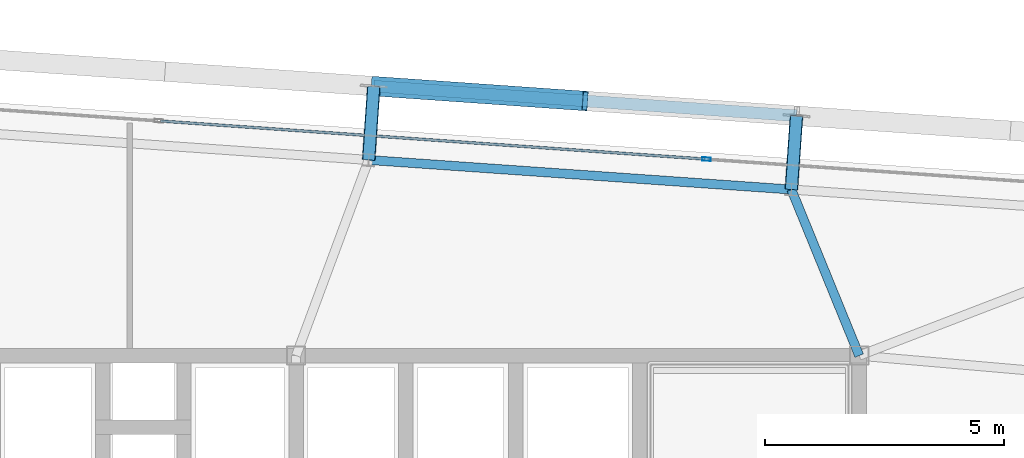
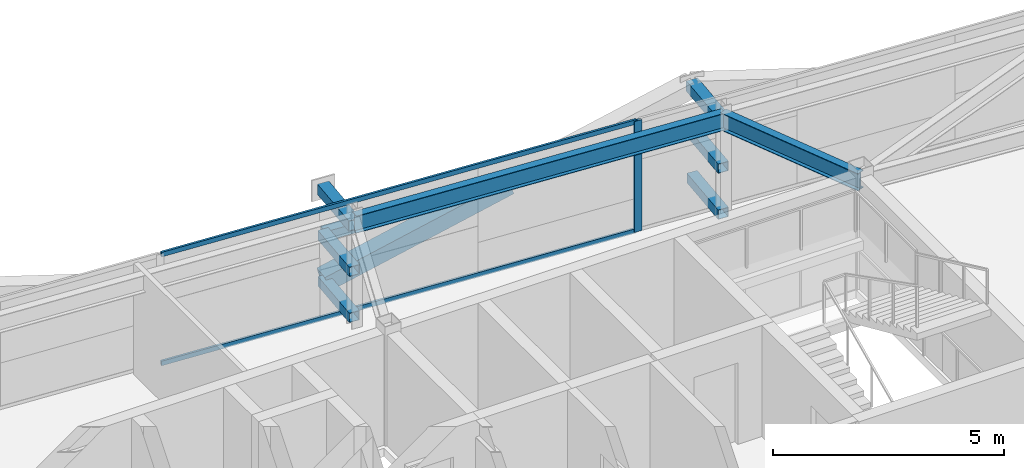
# One storey, part 23 of 39: 11 members, 2 beams, 1 element without a shape of its own.
"""IFC4 building model written with IfcOpenShell, lengths in metres."""

import ifcopenshell
import ifcopenshell.guid

model = None  # the IFC model being written
_history = None  # IfcOwnerHistory: only IFC2X3 demands one
_inside = {}  # id of a spatial element -> (the spatial element, [elements in it])
_under = {}  # id of a project, library or spatial element -> (it, [spatial elements below it])
_declared = {}  # id of a project -> (the project, [libraries it declares])
_typed = {}  # id of a type object -> (the type object, [elements of that type])
_made_of = {}  # id of a material, layer set ... -> (it, [elements and type objects made of it])


def new_model(schema):
    """Start an empty IFC model of exactly this schema.

    Asked for "IFC4X3", IfcOpenShell would pick the latest addendum, in which some entities
    have other attributes; the version numbers below select the first issue.
    IFC2X3 requires an IfcOwnerHistory on every rooted entity: one is made here for all.
    """
    global model, _history
    if schema == "IFC4X3":
        model = ifcopenshell.file(schema_version=(4, 3, 0, 0))
    else:
        model = ifcopenshell.file(schema=schema)
    _inside.clear()
    _under.clear()
    _declared.clear()
    _typed.clear()
    _made_of.clear()
    _history = None
    if model.schema == "IFC2X3":
        org = make("IfcOrganization", Name="unknown")
        user = make(
            "IfcPersonAndOrganization",
            ThePerson=make("IfcPerson", FamilyName="unknown"),
            TheOrganization=org,
        )
        app = make(
            "IfcApplication",
            ApplicationDeveloper=org,
            Version="unknown",
            ApplicationFullName="unknown",
            ApplicationIdentifier="unknown",
        )
        _history = make(
            "IfcOwnerHistory",
            OwningUser=user,
            OwningApplication=app,
            ChangeAction="ADDED",
            CreationDate=0,
        )
    return model


def make(cls, **values):
    """One entity of the class cls with the attributes given. An attribute that is None is left unset."""
    return model.create_entity(
        cls, **{name: value for name, value in values.items() if value is not None}
    )


def rooted(cls, **values):
    """An entity with a GlobalId (a new one), such as an element, a storey or a relation."""
    return make(cls, GlobalId=ifcopenshell.guid.new(), OwnerHistory=_history, **values)


def si_unit(unit_type, name, prefix=None):
    """IfcSIUnit, for example si_unit("LENGTHUNIT", "METRE", prefix="MILLI")."""
    return make("IfcSIUnit", UnitType=unit_type, Prefix=prefix, Name=name)


def assignment(units):
    """IfcUnitAssignment: the units of a project."""
    return None if units is None else make("IfcUnitAssignment", Units=units)


def point(xyz):
    """IfcCartesianPoint."""
    return None if xyz is None else make("IfcCartesianPoint", Coordinates=xyz)


def direction(xyz):
    """IfcDirection."""
    return None if xyz is None else make("IfcDirection", DirectionRatios=xyz)


def frame(location, z_axis=None, x_axis=None):
    """IfcAxis2Placement3D, a coordinate frame: its origin and axes. An axis left out is left unset."""
    return make(
        "IfcAxis2Placement3D",
        Location=point(location),
        Axis=direction(z_axis),
        RefDirection=direction(x_axis),
    )


def frame_2d(location, x_axis=None):
    """IfcAxis2Placement2D, a coordinate frame in the plane: its origin and x axis."""
    return make(
        "IfcAxis2Placement2D", Location=point(location), RefDirection=direction(x_axis)
    )


def origin():
    """The frame at (0, 0, 0) with its axes left unset."""
    return frame((0.0, 0.0, 0.0))


def origin_2d():
    """The frame at (0, 0) in the plane with its x axis left unset."""
    return frame_2d((0.0, 0.0))


def place(relative_to, where):
    """IfcLocalPlacement: puts the frame where relative to a parent placement (None: the world)."""
    return make(
        "IfcLocalPlacement", PlacementRelTo=relative_to, RelativePlacement=where
    )


def context(
    kind, dimensions, precision=None, world=None, true_north=None, identifier=None
):
    """IfcGeometricRepresentationContext, for example the 3D "Model" context."""
    return make(
        "IfcGeometricRepresentationContext",
        ContextIdentifier=identifier,
        ContextType=kind,
        CoordinateSpaceDimension=dimensions,
        Precision=precision,
        WorldCoordinateSystem=world,
        TrueNorth=true_north,
    )


def subcontext(parent, identifier, kind, view, scale=None):
    """IfcGeometricRepresentationSubContext, for example "Body" below "Model"."""
    return make(
        "IfcGeometricRepresentationSubContext",
        ContextIdentifier=identifier,
        ContextType=kind,
        ParentContext=parent,
        TargetScale=scale,
        TargetView=view,
    )


def project(units=None, contexts=None):
    """IfcProject with its units and contexts."""
    return rooted(
        "IfcProject",
        Name="project",
        RepresentationContexts=contexts,
        UnitsInContext=assignment(units),
    )


def spatial(cls, under=None, at=None, **own):
    """A site, building, storey or space (cls), placed at a placement, below another one or the project."""
    s = rooted(cls, ObjectPlacement=at, **own)
    if under is not None:
        _under.setdefault(under.id(), (under, []))[1].append(s)
    return s


def profile(cls, at=None, kind="AREA", **sizes):
    """A parametric profile (cls). Its sizes go by their IFC names, for example OverallWidth=200.0."""
    return make(cls, ProfileType=kind, Position=at, **sizes)


def hollow_rectangle(**sizes):
    """IfcRectangleHollowProfileDef."""
    return profile("IfcRectangleHollowProfileDef", **sizes)


def i_section(**sizes):
    """IfcIShapeProfileDef."""
    return profile("IfcIShapeProfileDef", **sizes)


def extrude(swept, where, along, depth):
    """IfcExtrudedAreaSolid: the profile swept, set in the frame where, extruded along a direction by depth."""
    return make(
        "IfcExtrudedAreaSolid",
        SweptArea=swept,
        Position=where,
        ExtrudedDirection=direction(along),
        Depth=depth,
    )


def shape(context_of_items, identifier, shape_type, items):
    """IfcShapeRepresentation: the items that make up one representation, for example the "Body"."""
    return make(
        "IfcShapeRepresentation",
        ContextOfItems=context_of_items,
        RepresentationIdentifier=identifier,
        RepresentationType=shape_type,
        Items=items,
    )


def source(mapping_origin, context_of_items, identifier, shape_type, items):
    """IfcRepresentationMap: a shape defined once, which mapped items show again and again."""
    return make(
        "IfcRepresentationMap",
        MappingOrigin=mapping_origin,
        MappedRepresentation=shape(context_of_items, identifier, shape_type, items),
    )


def transform(
    local_origin,
    x_axis=None,
    y_axis=None,
    z_axis=None,
    scale=None,
    scale2=None,
    scale3=None,
    uniform=True,
):
    """IfcCartesianTransformationOperator3D, or its non-uniform kind. x_axis, y_axis, z_axis: its Axis1, 2, 3."""
    if uniform:
        return make(
            "IfcCartesianTransformationOperator3D",
            Axis1=direction(x_axis),
            Axis2=direction(y_axis),
            LocalOrigin=point(local_origin),
            Scale=scale,
            Axis3=direction(z_axis),
        )
    return make(
        "IfcCartesianTransformationOperator3DnonUniform",
        Axis1=direction(x_axis),
        Axis2=direction(y_axis),
        LocalOrigin=point(local_origin),
        Scale=scale,
        Axis3=direction(z_axis),
        Scale2=scale2,
        Scale3=scale3,
    )


def mapped(mapping_source, mapping_target):
    """IfcMappedItem: shows the shape of a source again, moved by a transform."""
    return make(
        "IfcMappedItem", MappingSource=mapping_source, MappingTarget=mapping_target
    )


def material(Name=None, Category=None):
    """IfcMaterial."""
    return make("IfcMaterial", Name=Name, Category=Category)


def layer(
    of_material, thickness, ventilated=None, Name=None, Category=None, Priority=None
):
    """IfcMaterialLayer: one layer of a wall or slab, of a material (None: an air gap)."""
    return make(
        "IfcMaterialLayer",
        Material=of_material,
        LayerThickness=thickness,
        IsVentilated=ventilated,
        Name=Name,
        Category=Category,
        Priority=Priority,
    )


def layer_set(layers, Name=None):
    """IfcMaterialLayerSet."""
    return make("IfcMaterialLayerSet", MaterialLayers=layers, LayerSetName=Name)


def material_profile(
    of_material, cross_section, Name=None, Category=None, Priority=None
):
    """IfcMaterialProfile: a cross section and its material."""
    return make(
        "IfcMaterialProfile",
        Name=Name,
        Material=of_material,
        Profile=cross_section,
        Priority=Priority,
        Category=Category,
    )


def profile_set(profiles, Name=None, composite=None):
    """IfcMaterialProfileSet."""
    return make(
        "IfcMaterialProfileSet",
        Name=Name,
        MaterialProfiles=profiles,
        CompositeProfile=composite,
    )


def made_of(thing, what):
    """Note that an element or type object is made of a material, layer set ...; save() writes the relation."""
    if what is not None:
        _made_of.setdefault(what.id(), (what, []))[1].append(thing)
    return thing


def type_object(cls, material=None, **own):
    """A type object (cls), such as IfcWallType, which elements share."""
    return made_of(rooted(cls, **own), material)


def element(
    cls,
    number,
    at=None,
    inside=None,
    cuts=None,
    type_object=None,
    material=None,
    context=None,
    identifier="Body",
    shape_type=None,
    held_by="IfcProductDefinitionShape",
    body=None,
    shapes=None,
    **own,
):
    """One element of the class cls, such as IfcWall. Its Tag is "e" and its number.

    at: its placement. inside: the storey or other place that contains it. cuts: it is an
    opening in that element (IfcRelVoidsElement). A single representation is given by context,
    identifier, shape_type and body (its items); several are given by shapes. held_by: the class
    of the entity that holds the representations. save() writes the other relations.
    """
    e = rooted(cls, Tag="e%d" % number, ObjectPlacement=at, **own)
    if body is not None:
        shapes = [shape(context, identifier, shape_type, body)]
    if shapes is not None:
        e.Representation = make(held_by, Representations=shapes)
    if inside is not None:
        _inside.setdefault(inside.id(), (inside, []))[1].append(e)
    if cuts is not None:
        rooted(
            "IfcRelVoidsElement", RelatingBuildingElement=cuts, RelatedOpeningElement=e
        )
    if type_object is not None:
        _typed.setdefault(type_object.id(), (type_object, []))[1].append(e)
    return made_of(e, material)


def aggregate(whole, parts):
    """IfcRelAggregates: a whole, such as a stair, and the parts it consists of."""
    return rooted("IfcRelAggregates", RelatingObject=whole, RelatedObjects=parts)


def save(model, path):
    """Write the relations noted so far, then the file.

    IfcRelAggregates (storeys below a building ...), IfcRelContainedInSpatialStructure (elements
    in a storey), IfcRelDefinesByType, IfcRelAssociatesMaterial and IfcRelDeclares: one each for
    every whole, place, type object, material and project.
    """
    for whole, parts in _under.values():
        aggregate(whole, parts)
    for where, things in _inside.values():
        rooted(
            "IfcRelContainedInSpatialStructure",
            RelatedElements=things,
            RelatingStructure=where,
        )
    for kind, things in _typed.values():
        rooted("IfcRelDefinesByType", RelatedObjects=things, RelatingType=kind)
    for what, things in _made_of.values():
        rooted("IfcRelAssociatesMaterial", RelatedObjects=things, RelatingMaterial=what)
    for by, libraries in _declared.values():
        rooted("IfcRelDeclares", RelatingContext=by, RelatedDefinitions=libraries)
    model.write(path)


model = new_model("IFC4")

# Units and contexts
model_context = context("Model", 3, precision=1e-05, world=origin(), true_north=direction((0.0, 1.0)))
body_context = subcontext(model_context, "Body", "Model", "MODEL_VIEW")
ifc_project = project(units=[si_unit("LENGTHUNIT", "METRE"), si_unit("AREAUNIT", "SQUARE_METRE"), si_unit("VOLUMEUNIT", "CUBIC_METRE"), si_unit("PLANEANGLEUNIT", "RADIAN"), si_unit("MASSUNIT", "GRAM", prefix="KILO")], contexts=[model_context])

# Site, building, storey
site_placement = place(None, origin())
site = spatial("IfcSite", under=ifc_project, at=site_placement, CompositionType="ELEMENT")
building_placement = place(site_placement, origin())
building = spatial("IfcBuilding", under=site, at=building_placement, Name="Taldren Reach Tower", CompositionType="ELEMENT")
storey_placement = place(building_placement, frame((0.0, 0.0, 123.550048828125)))
storey = spatial("IfcBuildingStorey", under=building, at=storey_placement, Name="L37", CompositionType="ELEMENT", Elevation=123.550048828125)

# Members
ifc_material_1 = material(Name="Steel Gr 450 (C450L0)", Category="steel")
ifc_material_profile_1 = material_profile(ifc_material_1, hollow_rectangle(XDim=0.27490234375, YDim=0.27490234375, WallThickness=0.00927734375, at=origin_2d()), Name="275x275x9.3SHS")
ifc_profile_set_1 = profile_set([ifc_material_profile_1], Name="Steel Gr 450 (C450L0)")
member_type_1 = type_object("IfcMemberType", Name="MB-TIE273", PredefinedType="STRUT", material=ifc_profile_set_1)
shared_shape_1 = source(origin(), body_context, "Body", "SweptSolid", [
    extrude(hollow_rectangle(XDim=0.27490234375, YDim=0.27490234375, WallThickness=0.00927734375, at=origin_2d()), origin(), (0.0, 0.0, 1.0), 1.550048828125),
])
for number, where, z_axis, x_axis, name in (
    (1, (40.7197265625, 36.100341796875, 2.64990234375), (0.06976957191, 0.99756313426, 0.0), (-0.99756313426, 0.06976957191, 0.0), "Exoskeleton diaphragm tie strut B3-N4 L37"),
    (2, (49.578125, 35.48095703125, 2.64990234375), (0.06976957191, 0.99756313426, 0.0), (-0.99756313426, 0.06976957191, 0.0), "Exoskeleton diaphragm tie strut B3-N5 L37"),
):
    element("IfcMember", number, at=place(storey_placement, frame(where, z_axis=z_axis, x_axis=x_axis)), inside=storey, type_object=member_type_1, Name=name, PredefinedType="STRUT", context=body_context, shape_type="MappedRepresentation", body=[
        mapped(shared_shape_1, transform((0.0, 0.0, 0.0), scale=1.0)),
    ])
ifc_material_2 = material(Name="Steel Gr 350 (C350L0)", Category="steel")
ifc_material_profile_2 = material_profile(ifc_material_2, hollow_rectangle(XDim=0.25, YDim=0.25, WallThickness=0.010009765625, at=origin_2d()), Name="250x250x10.0SHS")
ifc_profile_set_2 = profile_set([ifc_material_profile_2], Name="Steel Gr 350 (C350L0)")
member_type_2 = type_object("IfcMemberType", Name="MB-POST250", PredefinedType="POST", material=ifc_profile_set_2)
shared_shape_2 = source(origin(), body_context, "Body", "SweptSolid", [
    extrude(hollow_rectangle(XDim=0.25, YDim=0.25, WallThickness=0.010009765625, at=origin_2d()), origin(), (0.0, 0.0, 1.0), 1.550048828125),
])
for number, where, z_axis, x_axis, name in (
    (3, (40.7197265625, 36.100341796875, 0.219970703125), (0.06976957191, 0.99756313426, 0.0), (-0.99756313426, 0.06976957191, 0.0), "Exoskeleton base diaphragm tie strut B3-N4 L37"),
    (4, (49.578125, 35.48095703125, 0.219970703125), (0.06976957191, 0.99756313426, 0.0), (-0.99756313426, 0.06976957191, 0.0), "Exoskeleton base diaphragm tie strut B3-N5 L37"),
    (5, (40.7197265625, 36.100341796875, 1.43505859375), (0.06976957191, 0.99756313426, 0.0), (-0.99756313426, 0.06976957191, 0.0), "Exoskeleton mid-tier diaphragm tie B3-N4 L37"),
    (6, (49.578125, 35.48095703125, 1.43505859375), (0.06976957191, 0.99756313426, 0.0), (-0.99756313426, 0.06976957191, 0.0), "Exoskeleton mid-tier diaphragm tie B3-N5 L37"),
):
    element("IfcMember", number, at=place(storey_placement, frame(where, z_axis=z_axis, x_axis=x_axis)), inside=storey, type_object=member_type_2, Name=name, PredefinedType="POST", context=body_context, shape_type="MappedRepresentation", body=[
        mapped(shared_shape_2, transform((0.0, 0.0, 0.0), scale=1.0)),
    ])

# Beams
ifc_material_3 = material(Name="Steel Gr 350 (350PLUS)", Category="steel")
ifc_material_profile_3 = material_profile(ifc_material_3, i_section(OverallWidth=0.18994140625, OverallDepth=0.4541015625, WebThickness=0.008544921875, FlangeThickness=0.0126953125, at=origin_2d()), Name="460UB67.1")
ifc_profile_set_3 = profile_set([ifc_material_profile_3], Name="Steel Gr 350 (350PLUS)")
beam_type_1 = type_object("IfcBeamType", Name="SP-UB460B", PredefinedType="SPANDREL", material=ifc_profile_set_3)
shared_shape_3 = source(origin(), body_context, "Body", "SweptSolid", [
    extrude(i_section(OverallWidth=0.18994140625, OverallDepth=0.4541015625, WebThickness=0.008544921875, FlangeThickness=0.0126953125, at=origin_2d()), origin(), (0.0, 0.0, 1.0), 8.880126953125),
])
beam_1_placement = place(storey_placement, frame((49.578125, 35.48095703125, 2.702880859375), z_axis=(-0.997564479639, 0.069750333063, 0.0), x_axis=(-0.069750333063, -0.997564479639, 0.0)))
element("IfcBeam", 7, at=beam_1_placement, inside=storey, type_object=beam_type_1, Name="Perimeter spandrel B3 N5-N4 L37", PredefinedType="SPANDREL", context=body_context, shape_type="MappedRepresentation", body=[
    mapped(shared_shape_3, transform((0.0, 0.0, 0.0), scale=1.0)),
])
ifc_material_profile_4 = material_profile(ifc_material_3, i_section(OverallWidth=0.19091796875, OverallDepth=0.4599609375, WebThickness=0.010009765625, FlangeThickness=0.01611328125, at=origin_2d()), Name="460UB82.1")
ifc_profile_set_4 = profile_set([ifc_material_profile_4], Name="Steel Gr 350 (350PLUS)")
beam_type_2 = type_object("IfcBeamType", Name="BM-UB460A", PredefinedType="BEAM", material=ifc_profile_set_4)
shared_shape_4 = source(origin(), body_context, "Body", "SweptSolid", [
    extrude(i_section(OverallWidth=0.19091796875, OverallDepth=0.4599609375, WebThickness=0.010009765625, FlangeThickness=0.01611328125, at=origin_2d()), origin(), (0.0, 0.0, 1.0), 3.76025390625),
])
beam_2_placement = place(storey_placement, frame((51.0, 32.0, 2.699951171875), z_axis=(-0.37814232545, 0.925747471886, 0.0), x_axis=(-0.925747471886, -0.37814232545, 0.0)))
element("IfcBeam", 8, at=beam_2_placement, inside=storey, type_object=beam_type_2, Name="Primary floor girder B3-N5 L37", PredefinedType="BEAM", context=body_context, shape_type="MappedRepresentation", body=[
    mapped(shared_shape_4, transform((0.0, 0.0, 0.0), scale=1.0)),
])

# Members
shared_shape_5 = source(origin(), body_context, "Body", "SweptSolid", [
    extrude(hollow_rectangle(XDim=0.25, YDim=0.25, WallThickness=0.010009765625, at=origin_2d()), origin(), (0.0, 0.0, 1.0), 8.880126953125),
])
member_1_placement = place(storey_placement, frame((40.827880859375, 37.646728515625, 1.43505859375), z_axis=(0.997564479639, -0.069750333063, 0.0), x_axis=(0.069750333063, 0.997564479639, 0.0)))
element("IfcMember", 9, at=member_1_placement, inside=storey, type_object=member_type_2, Name="Exoskeleton mid-height ring chord B3-N4 L37", PredefinedType="POST", context=body_context, shape_type="MappedRepresentation", body=[
    mapped(shared_shape_5, transform((0.0, 0.0, 0.0), scale=1.0)),
])
ifc_material_profile_5 = material_profile(ifc_material_1, hollow_rectangle(XDim=0.409912109375, YDim=0.409912109375, WallThickness=0.01611328125, at=origin_2d()), Name="410x410x16.0SHS")
ifc_profile_set_5 = profile_set([ifc_material_profile_5], Name="Steel Gr 450 (C450L0)")
member_type_3 = type_object("IfcMemberType", Name="MB-EXO406", PredefinedType="BRACE", material=ifc_profile_set_5)
shared_shape_6 = source(origin(), body_context, "Body", "SweptSolid", [
    extrude(hollow_rectangle(XDim=0.409912109375, YDim=0.409912109375, WallThickness=0.01611328125, at=origin_2d()), origin(), (0.0, 0.0, 1.0), 4.603271484375),
])
member_2_placement = place(storey_placement, frame((40.827880859375, 37.646728515625, 0.219970703125), z_axis=(0.962182351074, -0.067302910567, 0.263961060594), x_axis=(0.06977769246, 0.997562566276, 0.0)))
element("IfcMember", 10, at=member_2_placement, inside=storey, type_object=member_type_3, Name="Exoskeleton Diagrid Brace B3-N4 L37", PredefinedType="BRACE", context=body_context, shape_type="MappedRepresentation", body=[
    mapped(shared_shape_6, transform((0.0, 0.0, 0.0), scale=1.0)),
])

# Curtain wall, members
ifc_material_4 = material(Name="Aluminium and Low-E Glass Unitised System", Category="aluminium")
ifc_layer = layer(ifc_material_4, 0.159912109375)
ifc_layer_set = layer_set([ifc_layer], Name="Aluminium and Low-E Glass Unitised System")
curtain_wall_type = type_object("IfcCurtainWallType", Name="CW-SYS-4", PredefinedType="NOTDEFINED", material=ifc_layer_set)
curtain_wall_placement = place(storey_placement, origin())
curtain_wall = element("IfcCurtainWall", 11, at=curtain_wall_placement, inside=storey, type_object=curtain_wall_type, Name="Unitised curtain wall CW-L37-N", PredefinedType="NOTDEFINED")
ifc_material_5 = material(Name="Anodised Aluminium 6063-T6", Category="aluminium")
ifc_material_profile_6 = material_profile(ifc_material_5, hollow_rectangle(XDim=0.054931640625, YDim=0.1201171875, WallThickness=0.0029296875, at=origin_2d()), Name="ALU-120x55x3RHS")
ifc_profile_set_6 = profile_set([ifc_material_profile_6], Name="Anodised Aluminium 6063-T6")
member_type_4 = type_object("IfcMemberType", Name="CW-TRN-135", PredefinedType="USERDEFINED", material=ifc_profile_set_6)
shared_shape_7 = source(origin(), body_context, "Body", "SweptSolid", [
    extrude(hollow_rectangle(XDim=0.054931640625, YDim=0.1201171875, WallThickness=0.0029296875, at=origin_2d()), origin(), (0.0, 0.0, 1.0), 11.429931640625),
])
member_3_placement = place(storey_placement, frame((47.76318359375, 36.119140625, 0.02734375), z_axis=(-0.997563740938, 0.069760897114, 0.0), x_axis=(-0.069760897114, -0.997563740938, 0.0)))
member_3 = element("IfcMember", 12, at=member_3_placement, type_object=member_type_4, Name="CW-4 transom 2.1", ObjectType="TRANSOM", PredefinedType="USERDEFINED", context=body_context, shape_type="MappedRepresentation", body=[
    mapped(shared_shape_7, transform((0.0, 0.0, 0.0), scale=1.0)),
])
member_4_placement = place(storey_placement, frame((47.76318359375, 36.119140625, 2.90234375), z_axis=(-0.997563740938, 0.069760897114, 0.0), x_axis=(-0.069760897114, -0.997563740938, 0.0)))
member_4 = element("IfcMember", 13, at=member_4_placement, type_object=member_type_4, Name="CW-4 transom 2.2", ObjectType="TRANSOM", PredefinedType="USERDEFINED", context=body_context, shape_type="MappedRepresentation", body=[
    mapped(shared_shape_7, transform((0.0, 0.0, 0.0), scale=1.0)),
])
ifc_material_profile_7 = material_profile(ifc_material_5, hollow_rectangle(XDim=0.070068359375, YDim=0.179931640625, WallThickness=0.00390625, at=origin_2d()), Name="ALU-180x70x4RHS")
ifc_profile_set_7 = profile_set([ifc_material_profile_7], Name="Anodised Aluminium 6063-T6")
member_type_5 = type_object("IfcMemberType", Name="CW-MUL-180", PredefinedType="MULLION", material=ifc_profile_set_7)
shared_shape_8 = source(origin(), body_context, "Body", "SweptSolid", [
    extrude(hollow_rectangle(XDim=0.070068359375, YDim=0.179931640625, WallThickness=0.00390625, at=origin_2d()), origin(), (0.0, 0.0, 1.0), 2.929931640625),
])
member_5_placement = place(storey_placement, frame((47.798095703125, 36.11669921875, 0.0), z_axis=(0.0, 0.0, 1.0), x_axis=(-0.06975651593, -0.99756404731, 0.0)))
member_5 = element("IfcMember", 14, at=member_5_placement, type_object=member_type_5, Name="CW-4 mullion 2", PredefinedType="MULLION", context=body_context, shape_type="MappedRepresentation", body=[
    mapped(shared_shape_8, transform((0.0, 0.0, 0.0), scale=1.0)),
])
aggregate(curtain_wall, [member_5, member_3, member_4])

save(model, "model.ifc")
